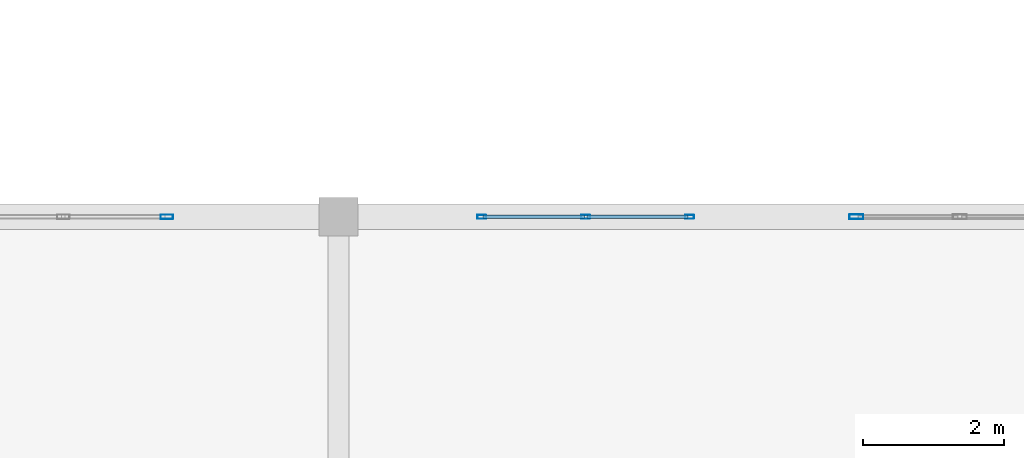
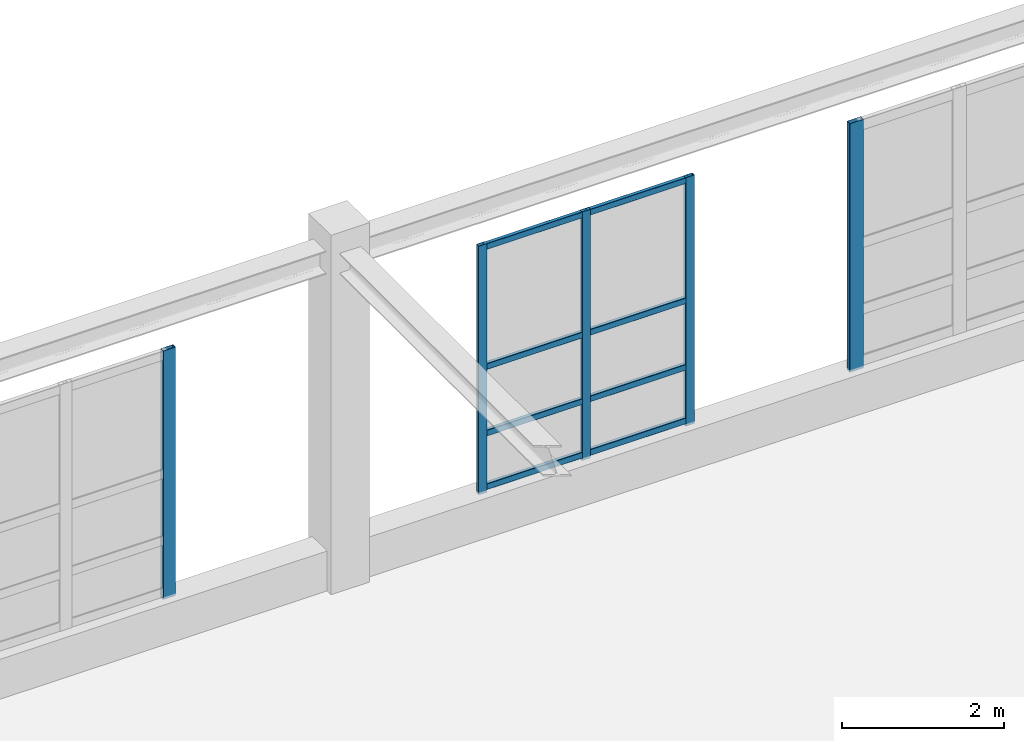
# One storey, part 83 of 197: 13 members, 3 elements without a shape of their own.
"""IFC4 building model written with IfcOpenShell, lengths in metres."""

from ifc_helpers import new_model, si_unit, derived_unit, direction, frame, origin, origin_2d, place, context, subcontext, project, spatial, hollow_rectangle, extrude, material, layer, layer_set, material_profile, profile_set, type_object, element, aggregate, save


model = new_model("IFC4")

# Units and contexts
model_context = context("Model", 3, precision=1e-05, world=origin(), true_north=direction((0.0, 1.0)))
body_context = subcontext(model_context, "Body", "Model", "MODEL_VIEW")
ifc_project = project(units=[si_unit("LENGTHUNIT", "METRE"), si_unit("AREAUNIT", "SQUARE_METRE"), si_unit("VOLUMEUNIT", "CUBIC_METRE"), si_unit("PLANEANGLEUNIT", "RADIAN"), si_unit("MASSUNIT", "GRAM", prefix="KILO"), derived_unit("THERMALTRANSMITTANCEUNIT", [(si_unit("POWERUNIT", "WATT"), 1), (si_unit("LENGTHUNIT", "METRE"), -2), (si_unit("THERMODYNAMICTEMPERATUREUNIT", "KELVIN"), -1)])], contexts=[model_context])

# Site, building, storey
site_placement = place(None, origin())
site = spatial("IfcSite", under=ifc_project, at=site_placement, CompositionType="ELEMENT")
building_placement = place(site_placement, origin())
building = spatial("IfcBuilding", under=site, at=building_placement, Name="Almenara Railside Exhibition Hall", CompositionType="ELEMENT")
storey_placement = place(building_placement, frame((0.0, 0.0, 5.39990234375)))
storey = spatial("IfcBuildingStorey", under=building, at=storey_placement, Name="L01", CompositionType="ELEMENT", Elevation=5.39990234375)

# Curtain wall, members
ifc_material_1 = material(Name="Bronze-anodised aluminium and low-E double glazing", Category="aluminium")
ifc_layer = layer(ifc_material_1, 0.179931640625, Name="Bronze-anodised aluminium and low-E double glazing")
ifc_layer_set = layer_set([ifc_layer], Name="Bronze-anodised aluminium and low-E double glazing")
curtain_wall_type = type_object("IfcCurtainWallType", Name="Courtyard North Galeria Curtain Wall 3000x3700", PredefinedType="NOTDEFINED", material=ifc_layer_set)
curtain_wall_1_placement = place(storey_placement, origin())
curtain_wall_1 = element("IfcCurtainWall", 1, at=curtain_wall_1_placement, inside=storey, type_object=curtain_wall_type, Name="Curtain wall CW-CY1-130", PredefinedType="NOTDEFINED")
ifc_material_2 = material(Name="Bronze-anodised aluminium", Category="aluminium")
ifc_material_profile_1 = material_profile(ifc_material_2, hollow_rectangle(XDim=0.054931640625, YDim=0.125, WallThickness=0.0029296875, InnerFilletRadius=0.0029296875, OuterFilletRadius=0.006103515625, at=origin_2d()), Name="ALU-MUL 55x125x3")
ifc_profile_set_1 = profile_set([ifc_material_profile_1], Name="Bronze-anodised aluminium")
member_type_1 = type_object("IfcMemberType", Name="Curtain Wall Mullion 55x125x3", PredefinedType="MULLION", material=ifc_profile_set_1)
member_1_placement = place(storey_placement, frame((86.027587890625, 108.0, 0.565185546875), z_axis=(0.0, 0.0, 1.0), x_axis=(0.0, 1.0, 0.0)))
member_1 = element("IfcMember", 2, at=member_1_placement, type_object=member_type_1, Name="CW-CY1-130 mullion 1", PredefinedType="MULLION", context=body_context, shape_type="SweptSolid", body=[
    extrude(hollow_rectangle(XDim=0.054931640625, YDim=0.125, WallThickness=0.0029296875, InnerFilletRadius=0.0029296875, OuterFilletRadius=0.006103515625, at=origin_2d()), origin(), (0.0, 0.0, 1.0), 3.73486328125),
])
member_2_placement = place(storey_placement, frame((87.5, 108.0, 0.565185546875), z_axis=(0.0, 0.0, 1.0), x_axis=(0.0, 1.0, 0.0)))
member_2 = element("IfcMember", 3, at=member_2_placement, type_object=member_type_1, Name="CW-CY1-130 mullion 2", PredefinedType="MULLION", context=body_context, shape_type="SweptSolid", body=[
    extrude(hollow_rectangle(XDim=0.054931640625, YDim=0.125, WallThickness=0.0029296875, InnerFilletRadius=0.0029296875, OuterFilletRadius=0.006103515625, at=origin_2d()), origin(), (0.0, 0.0, 1.0), 3.73486328125),
])
member_3_placement = place(storey_placement, frame((88.972412109375, 108.0, 0.565185546875), z_axis=(0.0, 0.0, 1.0), x_axis=(0.0, 1.0, 0.0)))
member_3 = element("IfcMember", 4, at=member_3_placement, type_object=member_type_1, Name="CW-CY1-130 mullion 3", PredefinedType="MULLION", context=body_context, shape_type="SweptSolid", body=[
    extrude(hollow_rectangle(XDim=0.054931640625, YDim=0.125, WallThickness=0.0029296875, InnerFilletRadius=0.0029296875, OuterFilletRadius=0.006103515625, at=origin_2d()), origin(), (0.0, 0.0, 1.0), 3.73486328125),
])

# Curtain wall, member
curtain_wall_2_placement = place(storey_placement, origin())
curtain_wall_2 = element("IfcCurtainWall", 5, at=curtain_wall_2_placement, inside=storey, type_object=curtain_wall_type, Name="Curtain wall CW-CY1-124", PredefinedType="NOTDEFINED")
ifc_material_profile_2 = material_profile(ifc_material_2, hollow_rectangle(XDim=0.06494140625, YDim=0.179931640625, WallThickness=0.00390625, InnerFilletRadius=0.00390625, OuterFilletRadius=0.008056640625, at=origin_2d()), Name="ALU-MUL 65x180x4")
ifc_profile_set_2 = profile_set([ifc_material_profile_2], Name="Bronze-anodised aluminium")
member_type_2 = type_object("IfcMemberType", Name="Curtain Wall Mullion 65x180x4", PredefinedType="MULLION", material=ifc_profile_set_2)
member_4_placement = place(storey_placement, frame((81.5673828125, 108.0, 0.565185546875), z_axis=(0.0, 0.0, 1.0), x_axis=(0.0, 1.0, 0.0)))
member_4 = element("IfcMember", 6, at=member_4_placement, type_object=member_type_2, Name="CW-CY1-124 mullion 3", PredefinedType="MULLION", context=body_context, shape_type="SweptSolid", body=[
    extrude(hollow_rectangle(XDim=0.06494140625, YDim=0.179931640625, WallThickness=0.00390625, InnerFilletRadius=0.00390625, OuterFilletRadius=0.008056640625, at=origin_2d()), origin(), (0.0, 0.0, 1.0), 3.73486328125),
])
aggregate(curtain_wall_2, [member_4])

curtain_wall_3_placement = place(storey_placement, origin())
curtain_wall_3 = element("IfcCurtainWall", 7, at=curtain_wall_3_placement, inside=storey, type_object=curtain_wall_type, Name="Curtain wall CW-CY1-131", PredefinedType="NOTDEFINED")
ifc_material_profile_3 = material_profile(ifc_material_2, hollow_rectangle(XDim=0.070068359375, YDim=0.199951171875, WallThickness=0.00439453125, InnerFilletRadius=0.00439453125, OuterFilletRadius=0.009033203125, at=origin_2d()), Name="ALU-MUL 70x200x4.5")
ifc_profile_set_3 = profile_set([ifc_material_profile_3], Name="Bronze-anodised aluminium")
member_type_3 = type_object("IfcMemberType", Name="Curtain Wall Mullion 70x200x4.5", PredefinedType="MULLION", material=ifc_profile_set_3)
member_5_placement = place(storey_placement, frame((91.3349609375, 108.0, 0.565185546875), z_axis=(0.0, 0.0, 1.0), x_axis=(0.0, 1.0, 0.0)))
member_5 = element("IfcMember", 8, at=member_5_placement, type_object=member_type_3, Name="CW-CY1-131 mullion 1", PredefinedType="MULLION", context=body_context, shape_type="SweptSolid", body=[
    extrude(hollow_rectangle(XDim=0.070068359375, YDim=0.199951171875, WallThickness=0.00439453125, InnerFilletRadius=0.00439453125, OuterFilletRadius=0.009033203125, at=origin_2d()), origin(), (0.0, 0.0, 1.0), 3.73486328125),
])
aggregate(curtain_wall_3, [member_5])

# Member
ifc_material_profile_4 = material_profile(ifc_material_2, hollow_rectangle(XDim=0.054931640625, YDim=0.090087890625, WallThickness=0.0029296875, InnerFilletRadius=0.0029296875, OuterFilletRadius=0.006103515625, at=origin_2d()), Name="ALU-TRN 55x90x3")
ifc_profile_set_4 = profile_set([ifc_material_profile_4], Name="Bronze-anodised aluminium")
member_type_4 = type_object("IfcMemberType", Name="Curtain Wall Transom 55x90x3", PredefinedType="USERDEFINED", material=ifc_profile_set_4)
member_6_placement = place(storey_placement, frame((86.047119140625, 108.0, 0.64501953125), z_axis=(1.0, 0.0, 0.0), x_axis=(0.0, 1.0, 0.0)))
member_6 = element("IfcMember", 9, at=member_6_placement, type_object=member_type_4, Name="CW-CY1-130 transom 1.1", ObjectType="TRANSOM", PredefinedType="USERDEFINED", context=body_context, shape_type="SweptSolid", body=[
    extrude(hollow_rectangle(XDim=0.054931640625, YDim=0.090087890625, WallThickness=0.0029296875, InnerFilletRadius=0.0029296875, OuterFilletRadius=0.006103515625, at=origin_2d()), origin(), (0.0, 0.0, 1.0), 1.433349609375),
])

member_7_placement = place(storey_placement, frame((86.047119140625, 108.0, 1.4501953125), z_axis=(1.0, 0.0, 0.0), x_axis=(0.0, 1.0, 0.0)))
member_7 = element("IfcMember", 10, at=member_7_placement, type_object=member_type_4, Name="CW-CY1-130 transom 1.2", ObjectType="TRANSOM", PredefinedType="USERDEFINED", context=body_context, shape_type="SweptSolid", body=[
    extrude(hollow_rectangle(XDim=0.054931640625, YDim=0.090087890625, WallThickness=0.0029296875, InnerFilletRadius=0.0029296875, OuterFilletRadius=0.006103515625, at=origin_2d()), origin(), (0.0, 0.0, 1.0), 1.433349609375),
])

member_8_placement = place(storey_placement, frame((86.047119140625, 108.0, 2.4501953125), z_axis=(1.0, 0.0, 0.0), x_axis=(0.0, 1.0, 0.0)))
member_8 = element("IfcMember", 11, at=member_8_placement, type_object=member_type_4, Name="CW-CY1-130 transom 1.3", ObjectType="TRANSOM", PredefinedType="USERDEFINED", context=body_context, shape_type="SweptSolid", body=[
    extrude(hollow_rectangle(XDim=0.054931640625, YDim=0.090087890625, WallThickness=0.0029296875, InnerFilletRadius=0.0029296875, OuterFilletRadius=0.006103515625, at=origin_2d()), origin(), (0.0, 0.0, 1.0), 1.433349609375),
])

member_9_placement = place(storey_placement, frame((86.047119140625, 108.0, 4.255126953125), z_axis=(1.0, 0.0, 0.0), x_axis=(0.0, 1.0, 0.0)))
member_9 = element("IfcMember", 12, at=member_9_placement, type_object=member_type_4, Name="CW-CY1-130 transom 1.4", ObjectType="TRANSOM", PredefinedType="USERDEFINED", context=body_context, shape_type="SweptSolid", body=[
    extrude(hollow_rectangle(XDim=0.054931640625, YDim=0.090087890625, WallThickness=0.0029296875, InnerFilletRadius=0.0029296875, OuterFilletRadius=0.006103515625, at=origin_2d()), origin(), (0.0, 0.0, 1.0), 1.433349609375),
])

member_10_placement = place(storey_placement, frame((87.51953125, 108.0, 0.64501953125), z_axis=(1.0, 0.0, 0.0), x_axis=(0.0, 1.0, 0.0)))
member_10 = element("IfcMember", 13, at=member_10_placement, type_object=member_type_4, Name="CW-CY1-130 transom 2.1", ObjectType="TRANSOM", PredefinedType="USERDEFINED", context=body_context, shape_type="SweptSolid", body=[
    extrude(hollow_rectangle(XDim=0.054931640625, YDim=0.090087890625, WallThickness=0.0029296875, InnerFilletRadius=0.0029296875, OuterFilletRadius=0.006103515625, at=origin_2d()), origin(), (0.0, 0.0, 1.0), 1.433349609375),
])

member_11_placement = place(storey_placement, frame((87.51953125, 108.0, 1.4501953125), z_axis=(1.0, 0.0, 0.0), x_axis=(0.0, 1.0, 0.0)))
member_11 = element("IfcMember", 14, at=member_11_placement, type_object=member_type_4, Name="CW-CY1-130 transom 2.2", ObjectType="TRANSOM", PredefinedType="USERDEFINED", context=body_context, shape_type="SweptSolid", body=[
    extrude(hollow_rectangle(XDim=0.054931640625, YDim=0.090087890625, WallThickness=0.0029296875, InnerFilletRadius=0.0029296875, OuterFilletRadius=0.006103515625, at=origin_2d()), origin(), (0.0, 0.0, 1.0), 1.433349609375),
])

member_12_placement = place(storey_placement, frame((87.51953125, 108.0, 2.4501953125), z_axis=(1.0, 0.0, 0.0), x_axis=(0.0, 1.0, 0.0)))
member_12 = element("IfcMember", 15, at=member_12_placement, type_object=member_type_4, Name="CW-CY1-130 transom 2.3", ObjectType="TRANSOM", PredefinedType="USERDEFINED", context=body_context, shape_type="SweptSolid", body=[
    extrude(hollow_rectangle(XDim=0.054931640625, YDim=0.090087890625, WallThickness=0.0029296875, InnerFilletRadius=0.0029296875, OuterFilletRadius=0.006103515625, at=origin_2d()), origin(), (0.0, 0.0, 1.0), 1.433349609375),
])

member_13_placement = place(storey_placement, frame((87.51953125, 108.0, 4.255126953125), z_axis=(1.0, 0.0, 0.0), x_axis=(0.0, 1.0, 0.0)))
member_13 = element("IfcMember", 16, at=member_13_placement, type_object=member_type_4, Name="CW-CY1-130 transom 2.4", ObjectType="TRANSOM", PredefinedType="USERDEFINED", context=body_context, shape_type="SweptSolid", body=[
    extrude(hollow_rectangle(XDim=0.054931640625, YDim=0.090087890625, WallThickness=0.0029296875, InnerFilletRadius=0.0029296875, OuterFilletRadius=0.006103515625, at=origin_2d()), origin(), (0.0, 0.0, 1.0), 1.433349609375),
])

aggregate(curtain_wall_1, [member_1, member_2, member_3, member_6, member_7, member_8, member_9, member_10, member_11, member_12, member_13])

save(model, "model.ifc")
